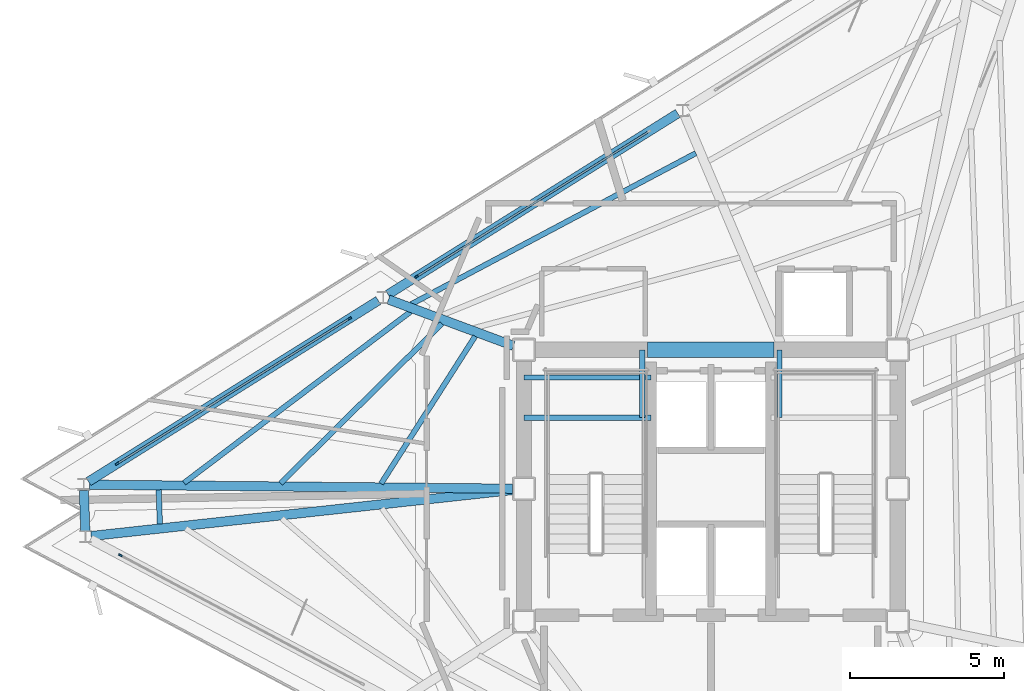
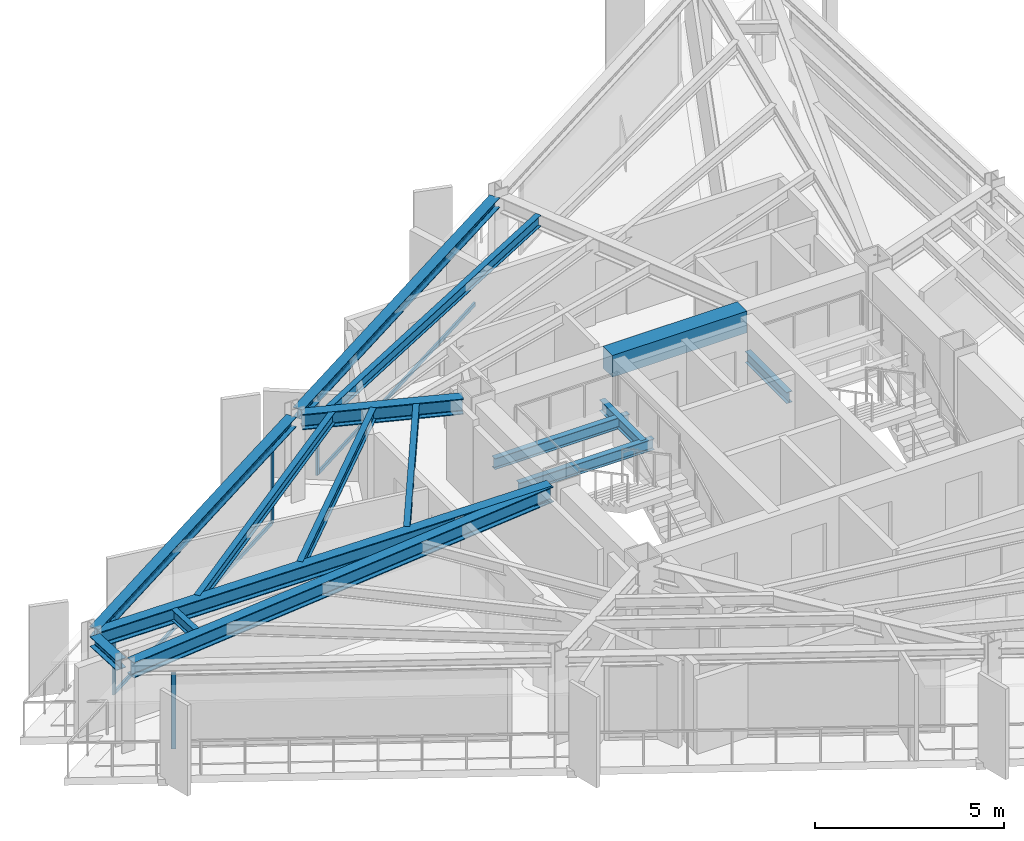
# One storey, part 4 of 13: 16 beams, 8 members, 3 elements without a shape of their own.
"""IFC4 building model written with IfcOpenShell, lengths in metres."""

import ifcopenshell
import ifcopenshell.guid

model = None  # the IFC model being written
_history = None  # IfcOwnerHistory: only IFC2X3 demands one
_inside = {}  # id of a spatial element -> (the spatial element, [elements in it])
_under = {}  # id of a project, library or spatial element -> (it, [spatial elements below it])
_declared = {}  # id of a project -> (the project, [libraries it declares])
_typed = {}  # id of a type object -> (the type object, [elements of that type])
_made_of = {}  # id of a material, layer set ... -> (it, [elements and type objects made of it])


def new_model(schema):
    """Start an empty IFC model of exactly this schema.

    Asked for "IFC4X3", IfcOpenShell would pick the latest addendum, in which some entities
    have other attributes; the version numbers below select the first issue.
    IFC2X3 requires an IfcOwnerHistory on every rooted entity: one is made here for all.
    """
    global model, _history
    if schema == "IFC4X3":
        model = ifcopenshell.file(schema_version=(4, 3, 0, 0))
    else:
        model = ifcopenshell.file(schema=schema)
    _inside.clear()
    _under.clear()
    _declared.clear()
    _typed.clear()
    _made_of.clear()
    _history = None
    if model.schema == "IFC2X3":
        org = make("IfcOrganization", Name="unknown")
        user = make(
            "IfcPersonAndOrganization",
            ThePerson=make("IfcPerson", FamilyName="unknown"),
            TheOrganization=org,
        )
        app = make(
            "IfcApplication",
            ApplicationDeveloper=org,
            Version="unknown",
            ApplicationFullName="unknown",
            ApplicationIdentifier="unknown",
        )
        _history = make(
            "IfcOwnerHistory",
            OwningUser=user,
            OwningApplication=app,
            ChangeAction="ADDED",
            CreationDate=0,
        )
    return model


def make(cls, **values):
    """One entity of the class cls with the attributes given. An attribute that is None is left unset."""
    return model.create_entity(
        cls, **{name: value for name, value in values.items() if value is not None}
    )


def rooted(cls, **values):
    """An entity with a GlobalId (a new one), such as an element, a storey or a relation."""
    return make(cls, GlobalId=ifcopenshell.guid.new(), OwnerHistory=_history, **values)


def si_unit(unit_type, name, prefix=None):
    """IfcSIUnit, for example si_unit("LENGTHUNIT", "METRE", prefix="MILLI")."""
    return make("IfcSIUnit", UnitType=unit_type, Prefix=prefix, Name=name)


def assignment(units):
    """IfcUnitAssignment: the units of a project."""
    return None if units is None else make("IfcUnitAssignment", Units=units)


def point(xyz):
    """IfcCartesianPoint."""
    return None if xyz is None else make("IfcCartesianPoint", Coordinates=xyz)


def direction(xyz):
    """IfcDirection."""
    return None if xyz is None else make("IfcDirection", DirectionRatios=xyz)


def frame(location, z_axis=None, x_axis=None):
    """IfcAxis2Placement3D, a coordinate frame: its origin and axes. An axis left out is left unset."""
    return make(
        "IfcAxis2Placement3D",
        Location=point(location),
        Axis=direction(z_axis),
        RefDirection=direction(x_axis),
    )


def frame_2d(location, x_axis=None):
    """IfcAxis2Placement2D, a coordinate frame in the plane: its origin and x axis."""
    return make(
        "IfcAxis2Placement2D", Location=point(location), RefDirection=direction(x_axis)
    )


def origin():
    """The frame at (0, 0, 0) with its axes left unset."""
    return frame((0.0, 0.0, 0.0))


def origin_2d():
    """The frame at (0, 0) in the plane with its x axis left unset."""
    return frame_2d((0.0, 0.0))


def place(relative_to, where):
    """IfcLocalPlacement: puts the frame where relative to a parent placement (None: the world)."""
    return make(
        "IfcLocalPlacement", PlacementRelTo=relative_to, RelativePlacement=where
    )


def context(
    kind, dimensions, precision=None, world=None, true_north=None, identifier=None
):
    """IfcGeometricRepresentationContext, for example the 3D "Model" context."""
    return make(
        "IfcGeometricRepresentationContext",
        ContextIdentifier=identifier,
        ContextType=kind,
        CoordinateSpaceDimension=dimensions,
        Precision=precision,
        WorldCoordinateSystem=world,
        TrueNorth=true_north,
    )


def subcontext(parent, identifier, kind, view, scale=None):
    """IfcGeometricRepresentationSubContext, for example "Body" below "Model"."""
    return make(
        "IfcGeometricRepresentationSubContext",
        ContextIdentifier=identifier,
        ContextType=kind,
        ParentContext=parent,
        TargetScale=scale,
        TargetView=view,
    )


def project(units=None, contexts=None):
    """IfcProject with its units and contexts."""
    return rooted(
        "IfcProject",
        Name="project",
        RepresentationContexts=contexts,
        UnitsInContext=assignment(units),
    )


def spatial(cls, under=None, at=None, **own):
    """A site, building, storey or space (cls), placed at a placement, below another one or the project."""
    s = rooted(cls, ObjectPlacement=at, **own)
    if under is not None:
        _under.setdefault(under.id(), (under, []))[1].append(s)
    return s


def profile(cls, at=None, kind="AREA", **sizes):
    """A parametric profile (cls). Its sizes go by their IFC names, for example OverallWidth=200.0."""
    return make(cls, ProfileType=kind, Position=at, **sizes)


def rectangle(**sizes):
    """IfcRectangleProfileDef."""
    return profile("IfcRectangleProfileDef", **sizes)


def i_section(**sizes):
    """IfcIShapeProfileDef."""
    return profile("IfcIShapeProfileDef", **sizes)


def extrude(swept, where, along, depth):
    """IfcExtrudedAreaSolid: the profile swept, set in the frame where, extruded along a direction by depth."""
    return make(
        "IfcExtrudedAreaSolid",
        SweptArea=swept,
        Position=where,
        ExtrudedDirection=direction(along),
        Depth=depth,
    )


def shape(context_of_items, identifier, shape_type, items):
    """IfcShapeRepresentation: the items that make up one representation, for example the "Body"."""
    return make(
        "IfcShapeRepresentation",
        ContextOfItems=context_of_items,
        RepresentationIdentifier=identifier,
        RepresentationType=shape_type,
        Items=items,
    )


def material(Name=None, Category=None):
    """IfcMaterial."""
    return make("IfcMaterial", Name=Name, Category=Category)


def layer(
    of_material, thickness, ventilated=None, Name=None, Category=None, Priority=None
):
    """IfcMaterialLayer: one layer of a wall or slab, of a material (None: an air gap)."""
    return make(
        "IfcMaterialLayer",
        Material=of_material,
        LayerThickness=thickness,
        IsVentilated=ventilated,
        Name=Name,
        Category=Category,
        Priority=Priority,
    )


def layer_set(layers, Name=None):
    """IfcMaterialLayerSet."""
    return make("IfcMaterialLayerSet", MaterialLayers=layers, LayerSetName=Name)


def material_profile(
    of_material, cross_section, Name=None, Category=None, Priority=None
):
    """IfcMaterialProfile: a cross section and its material."""
    return make(
        "IfcMaterialProfile",
        Name=Name,
        Material=of_material,
        Profile=cross_section,
        Priority=Priority,
        Category=Category,
    )


def profile_set(profiles, Name=None, composite=None):
    """IfcMaterialProfileSet."""
    return make(
        "IfcMaterialProfileSet",
        Name=Name,
        MaterialProfiles=profiles,
        CompositeProfile=composite,
    )


def made_of(thing, what):
    """Note that an element or type object is made of a material, layer set ...; save() writes the relation."""
    if what is not None:
        _made_of.setdefault(what.id(), (what, []))[1].append(thing)
    return thing


def type_object(cls, material=None, **own):
    """A type object (cls), such as IfcWallType, which elements share."""
    return made_of(rooted(cls, **own), material)


def element(
    cls,
    number,
    at=None,
    inside=None,
    cuts=None,
    type_object=None,
    material=None,
    context=None,
    identifier="Body",
    shape_type=None,
    held_by="IfcProductDefinitionShape",
    body=None,
    shapes=None,
    **own,
):
    """One element of the class cls, such as IfcWall. Its Tag is "e" and its number.

    at: its placement. inside: the storey or other place that contains it. cuts: it is an
    opening in that element (IfcRelVoidsElement). A single representation is given by context,
    identifier, shape_type and body (its items); several are given by shapes. held_by: the class
    of the entity that holds the representations. save() writes the other relations.
    """
    e = rooted(cls, Tag="e%d" % number, ObjectPlacement=at, **own)
    if body is not None:
        shapes = [shape(context, identifier, shape_type, body)]
    if shapes is not None:
        e.Representation = make(held_by, Representations=shapes)
    if inside is not None:
        _inside.setdefault(inside.id(), (inside, []))[1].append(e)
    if cuts is not None:
        rooted(
            "IfcRelVoidsElement", RelatingBuildingElement=cuts, RelatedOpeningElement=e
        )
    if type_object is not None:
        _typed.setdefault(type_object.id(), (type_object, []))[1].append(e)
    return made_of(e, material)


def aggregate(whole, parts):
    """IfcRelAggregates: a whole, such as a stair, and the parts it consists of."""
    return rooted("IfcRelAggregates", RelatingObject=whole, RelatedObjects=parts)


def save(model, path):
    """Write the relations noted so far, then the file.

    IfcRelAggregates (storeys below a building ...), IfcRelContainedInSpatialStructure (elements
    in a storey), IfcRelDefinesByType, IfcRelAssociatesMaterial and IfcRelDeclares: one each for
    every whole, place, type object, material and project.
    """
    for whole, parts in _under.values():
        aggregate(whole, parts)
    for where, things in _inside.values():
        rooted(
            "IfcRelContainedInSpatialStructure",
            RelatedElements=things,
            RelatingStructure=where,
        )
    for kind, things in _typed.values():
        rooted("IfcRelDefinesByType", RelatedObjects=things, RelatingType=kind)
    for what, things in _made_of.values():
        rooted("IfcRelAssociatesMaterial", RelatedObjects=things, RelatingMaterial=what)
    for by, libraries in _declared.values():
        rooted("IfcRelDeclares", RelatingContext=by, RelatedDefinitions=libraries)
    model.write(path)


model = new_model("IFC4")

# Units and contexts
model_context = context("Model", 3, precision=1e-05, world=origin(), true_north=direction((0.0, 1.0)))
body_context = subcontext(model_context, "Body", "Model", "MODEL_VIEW")
ifc_project = project(units=[si_unit("LENGTHUNIT", "METRE"), si_unit("AREAUNIT", "SQUARE_METRE"), si_unit("VOLUMEUNIT", "CUBIC_METRE"), si_unit("PLANEANGLEUNIT", "RADIAN"), si_unit("MASSUNIT", "GRAM", prefix="KILO")], contexts=[model_context])

# Site, building, storey
site_placement = place(None, origin())
site = spatial("IfcSite", under=ifc_project, at=site_placement, CompositionType="ELEMENT")
building_placement = place(site_placement, origin())
building = spatial("IfcBuilding", under=site, at=building_placement, Name="Rocaltana Carrier Exchange", CompositionType="ELEMENT")
storey_placement = place(building_placement, frame((0.0, 0.0, 196.639892578125)))
storey = spatial("IfcBuildingStorey", under=building, at=storey_placement, Name="L62", CompositionType="ELEMENT", Elevation=196.639892578125)

# Curtain wall, member
ifc_material_1 = material(Name="Aluminium 6063-T6", Category="aluminium")
ifc_layer = layer(ifc_material_1, 0.1201171875)
ifc_layer_set = layer_set([ifc_layer], Name="Aluminium 6063-T6")
curtain_wall_type = type_object("IfcCurtainWallType", Name="High-Altitude Thermal Curtain Wall CW-05", PredefinedType="NOTDEFINED", material=ifc_layer_set)
curtain_wall_1_placement = place(storey_placement, origin())
curtain_wall_1 = element("IfcCurtainWall", 1, at=curtain_wall_1_placement, inside=storey, type_object=curtain_wall_type, Name="L62 CW-05 Run CW-L62-F2S2", PredefinedType="NOTDEFINED")
ifc_material_2 = material(Name="Aluminium 6063-T6", Category="aluminium")
ifc_material_profile_1 = material_profile(ifc_material_2, rectangle(XDim=0.06005859375, YDim=0.1201171875, at=origin_2d()), Name="AL-60X120")
ifc_profile_set_1 = profile_set([ifc_material_profile_1], Name="Aluminium 6063-T6")
member_type_1 = type_object("IfcMemberType", Name="CW-05 Mullion AL-60X120", PredefinedType="MULLION", material=ifc_profile_set_1)
member_1_placement = place(storey_placement, frame((-9.52490234375, 6.870849609375, 0.0), z_axis=(0.0, 0.0, 1.0), x_axis=(0.529920452816, -0.848047353446, 0.0)))
member_1 = element("IfcMember", 2, at=member_1_placement, type_object=member_type_1, Name="CW-05 mullion 2", PredefinedType="MULLION", context=body_context, shape_type="SweptSolid", body=[
    extrude(rectangle(XDim=0.06005859375, YDim=0.1201171875, at=origin_2d()), origin(), (0.0, 0.0, 1.0), 2.447998046875),
])

# Curtain wall, members
curtain_wall_2_placement = place(storey_placement, origin())
curtain_wall_2 = element("IfcCurtainWall", 3, at=curtain_wall_2_placement, inside=storey, type_object=curtain_wall_type, Name="L62 CW-05 Run CW-L62-F2S3", PredefinedType="NOTDEFINED")
member_2_placement = place(storey_placement, frame((-11.696044921875, 5.514404296875, 0.0), z_axis=(0.0, 0.0, 1.0), x_axis=(0.529915422228, -0.848050496896, 0.0)))
member_2 = element("IfcMember", 4, at=member_2_placement, type_object=member_type_1, Name="CW-05 mullion 1", PredefinedType="MULLION", context=body_context, shape_type="SweptSolid", body=[
    extrude(rectangle(XDim=0.06005859375, YDim=0.1201171875, at=origin_2d()), origin(), (0.0, 0.0, 1.0), 2.447998046875),
])
member_3_placement = place(storey_placement, frame((-19.220947265625, 0.812255859375, 0.0), z_axis=(0.0, 0.0, 1.0), x_axis=(0.529915422228, -0.848050496896, 0.0)))
member_3 = element("IfcMember", 5, at=member_3_placement, type_object=member_type_1, Name="CW-05 mullion 2", PredefinedType="MULLION", context=body_context, shape_type="SweptSolid", body=[
    extrude(rectangle(XDim=0.06005859375, YDim=0.1201171875, at=origin_2d()), origin(), (0.0, 0.0, 1.0), 2.447998046875),
])

# Curtain wall, member
curtain_wall_3_placement = place(storey_placement, origin())
curtain_wall_3 = element("IfcCurtainWall", 6, at=curtain_wall_3_placement, inside=storey, type_object=curtain_wall_type, Name="L62 CW-05 Run CW-L62-F3S1", PredefinedType="NOTDEFINED")
member_4_placement = place(storey_placement, frame((-19.11767578125, -2.15087890625, 0.0), z_axis=(0.0, 0.0, 1.0), x_axis=(0.469483388841, 0.882941304732, 0.0)))
member_4 = element("IfcMember", 7, at=member_4_placement, type_object=member_type_1, Name="CW-05 mullion 1", PredefinedType="MULLION", context=body_context, shape_type="SweptSolid", body=[
    extrude(rectangle(XDim=0.06005859375, YDim=0.1201171875, at=origin_2d()), origin(), (0.0, 0.0, 1.0), 2.447998046875),
])
aggregate(curtain_wall_3, [member_4])

# Member
ifc_material_3 = material(Name="Aluminium 6063-T6", Category="aluminium")
ifc_material_profile_2 = material_profile(ifc_material_3, rectangle(XDim=0.06005859375, YDim=0.1201171875, at=origin_2d()), Name="AL-60X120")
ifc_profile_set_2 = profile_set([ifc_material_profile_2], Name="Aluminium 6063-T6")
member_type_2 = type_object("IfcMemberType", Name="CW-05 Transom AL-60X120", PredefinedType="USERDEFINED", material=ifc_profile_set_2)
member_5_placement = place(storey_placement, frame((-2.025390625, 11.55712890625, 0.030029296875), z_axis=(-0.848044988156, -0.529924238042, 0.0), x_axis=(0.529924238042, -0.848044988156, 0.0)))
member_5 = element("IfcMember", 8, at=member_5_placement, type_object=member_type_2, Name="CW-05 transom 1.1", ObjectType="TRANSOM", PredefinedType="USERDEFINED", context=body_context, shape_type="SweptSolid", body=[
    extrude(rectangle(XDim=0.06005859375, YDim=0.1201171875, at=origin_2d()), origin(), (0.0, 0.0, 1.0), 8.813232421875),
])

member_6_placement = place(storey_placement, frame((-2.025390625, 11.55712890625, 2.418212890625), z_axis=(-0.848044988156, -0.529924238042, 0.0), x_axis=(0.529924238042, -0.848044988156, 0.0)))
member_6 = element("IfcMember", 9, at=member_6_placement, type_object=member_type_2, Name="CW-05 transom 1.2", ObjectType="TRANSOM", PredefinedType="USERDEFINED", context=body_context, shape_type="SweptSolid", body=[
    extrude(rectangle(XDim=0.06005859375, YDim=0.1201171875, at=origin_2d()), origin(), (0.0, 0.0, 1.0), 8.813232421875),
])

aggregate(curtain_wall_1, [member_1, member_5, member_6])

member_7_placement = place(storey_placement, frame((-11.721435546875, 5.498291015625, 0.030029296875), z_axis=(-0.848057437019, -0.529904315435, 0.0), x_axis=(0.529904315435, -0.848057437019, 0.0)))
member_7 = element("IfcMember", 10, at=member_7_placement, type_object=member_type_2, Name="CW-05 transom 1.1", ObjectType="TRANSOM", PredefinedType="USERDEFINED", context=body_context, shape_type="SweptSolid", body=[
    extrude(rectangle(XDim=0.06005859375, YDim=0.1201171875, at=origin_2d()), origin(), (0.0, 0.0, 1.0), 8.813232421875),
])

member_8_placement = place(storey_placement, frame((-11.721435546875, 5.498291015625, 2.418212890625), z_axis=(-0.848057437019, -0.529904315435, 0.0), x_axis=(0.529904315435, -0.848057437019, 0.0)))
member_8 = element("IfcMember", 11, at=member_8_placement, type_object=member_type_2, Name="CW-05 transom 1.2", ObjectType="TRANSOM", PredefinedType="USERDEFINED", context=body_context, shape_type="SweptSolid", body=[
    extrude(rectangle(XDim=0.06005859375, YDim=0.1201171875, at=origin_2d()), origin(), (0.0, 0.0, 1.0), 8.813232421875),
])

aggregate(curtain_wall_2, [member_2, member_3, member_7, member_8])

# Beams
ifc_material_4 = material(Name="Concrete C60/75", Category="concrete")
ifc_material_profile_3 = material_profile(ifc_material_4, rectangle(XDim=0.5, YDim=0.699951171875, at=origin_2d()), Name="RC-BM-500X700")
ifc_profile_set_3 = profile_set([ifc_material_profile_3], Name="Concrete C60/75")
beam_type_1 = type_object("IfcBeamType", Name="Core Coupling Lintel 500x700", PredefinedType="LINTEL", material=ifc_profile_set_3)
beam_1_placement = place(storey_placement, frame((-2.050048828125, 4.5, 2.447998046875), z_axis=(1.0, 0.0, 0.0), x_axis=(0.0, 1.0, 0.0)))
element("IfcBeam", 12, at=beam_1_placement, inside=storey, type_object=beam_type_1, Name="L62 Core Coupling Lintel CL-N", PredefinedType="LINTEL", context=body_context, shape_type="SweptSolid", body=[
    extrude(rectangle(XDim=0.5, YDim=0.699951171875, at=origin_2d()), origin(), (0.0, 0.0, 1.0), 4.10009765625),
])
ifc_material_5 = material(Name="Steel S355", Category="steel")
ifc_material_profile_4 = material_profile(ifc_material_5, i_section(OverallWidth=0.172119140625, OverallDepth=0.35791015625, WebThickness=0.0078125, FlangeThickness=0.01318359375, FilletRadius=0.011962890625, at=origin_2d()), Name="W14X38")
ifc_profile_set_4 = profile_set([ifc_material_profile_4], Name="Steel S355")
beam_type_2 = type_object("IfcBeamType", Name="Floor Joist W14X38", PredefinedType="JOIST", material=ifc_profile_set_4)
for number, where, z_axis, x_axis, name in (
    (13, (-6.050048828125, 2.300048828125, 1.14111328125), (1.0, 0.0, 0.0), (0.0, 1.0, 0.0), "L62 ST-1 Landing Carrier 1"),
    (14, (-6.050048828125, 3.60009765625, 1.14111328125), (1.0, 0.0, 0.0), (0.0, 1.0, 0.0), "L62 ST-1 Landing Carrier 2"),
):
    element("IfcBeam", number, at=place(storey_placement, frame(where, z_axis=z_axis, x_axis=x_axis)), inside=storey, type_object=beam_type_2, Name=name, PredefinedType="JOIST", context=body_context, shape_type="SweptSolid", body=[
        extrude(i_section(OverallWidth=0.172119140625, OverallDepth=0.35791015625, WebThickness=0.0078125, FlangeThickness=0.01318359375, FilletRadius=0.011962890625, at=origin_2d()), origin(), (0.0, 0.0, 1.0), 4.110107421875),
    ])
for number, where, z_axis, x_axis, name in (
    (15, (-2.219970703125, 2.300048828125, 1.14111328125), (0.0, 1.0, 0.0), (-1.0, 0.0, 0.0), "L62 ST-1 Landing Cross Trimmer"),
    (16, (2.219970703125, 2.300048828125, 1.14111328125), (0.0, 1.0, 0.0), (-1.0, 0.0, 0.0), "L62 ST-2 Landing Cross Trimmer"),
):
    element("IfcBeam", number, at=place(storey_placement, frame(where, z_axis=z_axis, x_axis=x_axis)), inside=storey, type_object=beam_type_2, Name=name, PredefinedType="JOIST", context=body_context, shape_type="SweptSolid", body=[
        extrude(i_section(OverallWidth=0.172119140625, OverallDepth=0.35791015625, WebThickness=0.0078125, FlangeThickness=0.01318359375, FilletRadius=0.011962890625, at=origin_2d()), origin(), (0.0, 0.0, 1.0), 2.199951171875),
    ])
beam_2_placement = place(storey_placement, frame((-0.48681640625, 10.8662109375, 2.619140625), z_axis=(-0.883312459796, -0.468784703643, 0.0), x_axis=(0.468784703643, -0.883312459796, 0.0)))
element("IfcBeam", 17, at=beam_2_placement, inside=storey, type_object=beam_type_2, Name="FJ-L62-06-3", PredefinedType="JOIST", context=body_context, shape_type="SweptSolid", body=[
    extrude(i_section(OverallWidth=0.172119140625, OverallDepth=0.35791015625, WebThickness=0.0078125, FlangeThickness=0.01318359375, FilletRadius=0.011962890625, at=origin_2d()), origin(), (0.0, 0.0, 1.0), 10.439453125),
])
beam_3_placement = place(storey_placement, frame((-7.63232421875, 4.937255859375, 2.619140625), z_axis=(-0.537927212261, -0.842991289581, 0.0), x_axis=(0.842991289581, -0.537927212261, 0.0)))
element("IfcBeam", 18, at=beam_3_placement, inside=storey, type_object=beam_type_2, Name="FJ-L62-07-1", PredefinedType="JOIST", context=body_context, shape_type="SweptSolid", body=[
    extrude(i_section(OverallWidth=0.172119140625, OverallDepth=0.35791015625, WebThickness=0.0078125, FlangeThickness=0.01318359375, FilletRadius=0.011962890625, at=origin_2d()), origin(), (0.0, 0.0, 1.0), 5.660400390625),
])
beam_4_placement = place(storey_placement, frame((-8.706298828125, 5.3466796875, 2.619140625), z_axis=(-0.710816811973, -0.703377181757, 0.0), x_axis=(0.703377181757, -0.710816811973, 0.0)))
element("IfcBeam", 19, at=beam_4_placement, inside=storey, type_object=beam_type_2, Name="FJ-L62-07-2", PredefinedType="JOIST", context=body_context, shape_type="SweptSolid", body=[
    extrude(i_section(OverallWidth=0.172119140625, OverallDepth=0.35791015625, WebThickness=0.0078125, FlangeThickness=0.01318359375, FilletRadius=0.011962890625, at=origin_2d()), origin(), (0.0, 0.0, 1.0), 7.350830078125),
])
beam_5_placement = place(storey_placement, frame((-9.72216796875, 5.7333984375, 2.619140625), z_axis=(-0.797798617064, -0.602924013961, 0.0), x_axis=(0.602924013961, -0.797798617064, 0.0)))
element("IfcBeam", 20, at=beam_5_placement, inside=storey, type_object=beam_type_2, Name="FJ-L62-07-3", PredefinedType="JOIST", context=body_context, shape_type="SweptSolid", body=[
    extrude(i_section(OverallWidth=0.172119140625, OverallDepth=0.35791015625, WebThickness=0.0078125, FlangeThickness=0.01318359375, FilletRadius=0.011962890625, at=origin_2d()), origin(), (0.0, 0.0, 1.0), 9.19189453125),
])
beam_6_placement = place(storey_placement, frame((-17.8779296875, -0.03271484375, 2.619140625), z_axis=(0.034954429443, -0.999388907214, 0.0), x_axis=(0.999388907214, 0.034954429443, 0.0)))
element("IfcBeam", 21, at=beam_6_placement, inside=storey, type_object=beam_type_2, Name="FJ-L62-08-3", PredefinedType="JOIST", context=body_context, shape_type="SweptSolid", body=[
    extrude(i_section(OverallWidth=0.172119140625, OverallDepth=0.35791015625, WebThickness=0.0078125, FlangeThickness=0.01318359375, FilletRadius=0.011962890625, at=origin_2d()), origin(), (0.0, 0.0, 1.0), 1.110595703125),
])
ifc_material_6 = material(Name="Steel S355", Category="steel")
ifc_material_profile_5 = material_profile(ifc_material_6, i_section(OverallWidth=0.300048828125, OverallDepth=0.320068359375, WebThickness=0.011474609375, FlangeThickness=0.0205078125, FilletRadius=0.027099609375, at=origin_2d()), Name="HEB320")
ifc_profile_set_5 = profile_set([ifc_material_profile_5], Name="Steel S355")
beam_type_3 = type_object("IfcBeamType", Name="Spandrel Edge Beam HEB320", PredefinedType="SPANDREL", material=ifc_profile_set_5)
beam_7_placement = place(storey_placement, frame((-1.07177734375, 12.153076171875, 2.63818359375), z_axis=(-0.84805037449, -0.52991561812, 0.0), x_axis=(0.52991561812, -0.84805037449, 0.0)))
element("IfcBeam", 22, at=beam_7_placement, inside=storey, type_object=beam_type_3, Name="SP-L62-06", PredefinedType="SPANDREL", context=body_context, shape_type="SweptSolid", body=[
    extrude(i_section(OverallWidth=0.300048828125, OverallDepth=0.320068359375, WebThickness=0.011474609375, FlangeThickness=0.0205078125, FilletRadius=0.027099609375, at=origin_2d()), origin(), (0.0, 0.0, 1.0), 11.062255859375),
])
beam_8_placement = place(storey_placement, frame((-10.767822265625, 6.09423828125, 2.63818359375), z_axis=(-0.848056571721, -0.529905700253, 0.0), x_axis=(0.529905700253, -0.848056571721, 0.0)))
element("IfcBeam", 23, at=beam_8_placement, inside=storey, type_object=beam_type_3, Name="SP-L62-07", PredefinedType="SPANDREL", context=body_context, shape_type="SweptSolid", body=[
    extrude(i_section(OverallWidth=0.300048828125, OverallDepth=0.320068359375, WebThickness=0.011474609375, FlangeThickness=0.0205078125, FilletRadius=0.027099609375, at=origin_2d()), origin(), (0.0, 0.0, 1.0), 11.0625),
])
beam_9_placement = place(storey_placement, frame((-20.300048828125, -0.051513671875, 2.63818359375), z_axis=(0.034750289498, -0.999396026298, 0.0), x_axis=(0.999396026298, 0.034750289498, 0.0)))
element("IfcBeam", 24, at=beam_9_placement, inside=storey, type_object=beam_type_3, Name="SP-L62-08", PredefinedType="SPANDREL", context=body_context, shape_type="SweptSolid", body=[
    extrude(i_section(OverallWidth=0.300048828125, OverallDepth=0.320068359375, WebThickness=0.011474609375, FlangeThickness=0.0205078125, FilletRadius=0.027099609375, at=origin_2d()), origin(), (0.0, 0.0, 1.0), 1.313720703125),
])
ifc_material_7 = material(Name="Steel S355", Category="steel")
ifc_material_profile_6 = material_profile(ifc_material_7, i_section(OverallWidth=0.300048828125, OverallDepth=0.5, WebThickness=0.014404296875, FlangeThickness=0.028076171875, FilletRadius=0.027099609375, at=origin_2d()), Name="HEB500")
ifc_profile_set_6 = profile_set([ifc_material_profile_6], Name="Steel S355")
beam_type_4 = type_object("IfcBeamType", Name="Upper Radial Girder HEB500", PredefinedType="BEAM", material=ifc_profile_set_6)
beam_10_placement = place(storey_placement, frame((-6.39404296875, 4.627685546875, 2.548095703125), z_axis=(-0.937501283523, 0.347981814744, 0.0), x_axis=(-0.347981814744, -0.937501283523, 0.0)))
element("IfcBeam", 25, at=beam_10_placement, inside=storey, type_object=beam_type_4, Name="RG-L62-07", PredefinedType="BEAM", context=body_context, shape_type="SweptSolid", body=[
    extrude(i_section(OverallWidth=0.300048828125, OverallDepth=0.5, WebThickness=0.014404296875, FlangeThickness=0.028076171875, FilletRadius=0.027099609375, at=origin_2d()), origin(), (0.0, 0.0, 1.0), 4.31201171875),
])
beam_11_placement = place(storey_placement, frame((-6.4169921875, 0.00341796875, 2.548095703125), z_axis=(-0.999955930158, 0.009388170298, 0.0), x_axis=(-0.009388170298, -0.999955930158, 0.0)))
element("IfcBeam", 26, at=beam_11_placement, inside=storey, type_object=beam_type_4, Name="RG-L62-08", PredefinedType="BEAM", context=body_context, shape_type="SweptSolid", body=[
    extrude(i_section(OverallWidth=0.300048828125, OverallDepth=0.5, WebThickness=0.014404296875, FlangeThickness=0.028076171875, FilletRadius=0.027099609375, at=origin_2d()), origin(), (0.0, 0.0, 1.0), 13.70458984375),
])
beam_12_placement = place(storey_placement, frame((-6.414794921875, -0.039794921875, 2.548095703125), z_axis=(-0.994093982855, -0.108522593281, 0.0), x_axis=(0.108522593281, -0.994093982855, 0.0)))
element("IfcBeam", 27, at=beam_12_placement, inside=storey, type_object=beam_type_4, Name="RG-L62-09", PredefinedType="BEAM", context=body_context, shape_type="SweptSolid", body=[
    extrude(i_section(OverallWidth=0.300048828125, OverallDepth=0.5, WebThickness=0.014404296875, FlangeThickness=0.028076171875, FilletRadius=0.027099609375, at=origin_2d()), origin(), (0.0, 0.0, 1.0), 13.729736328125),
])

save(model, "model.ifc")
